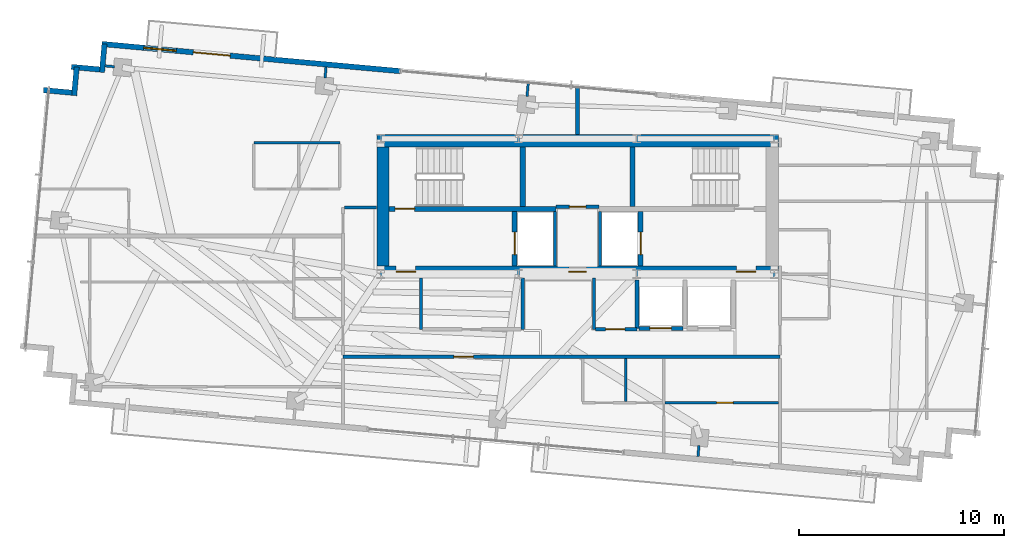
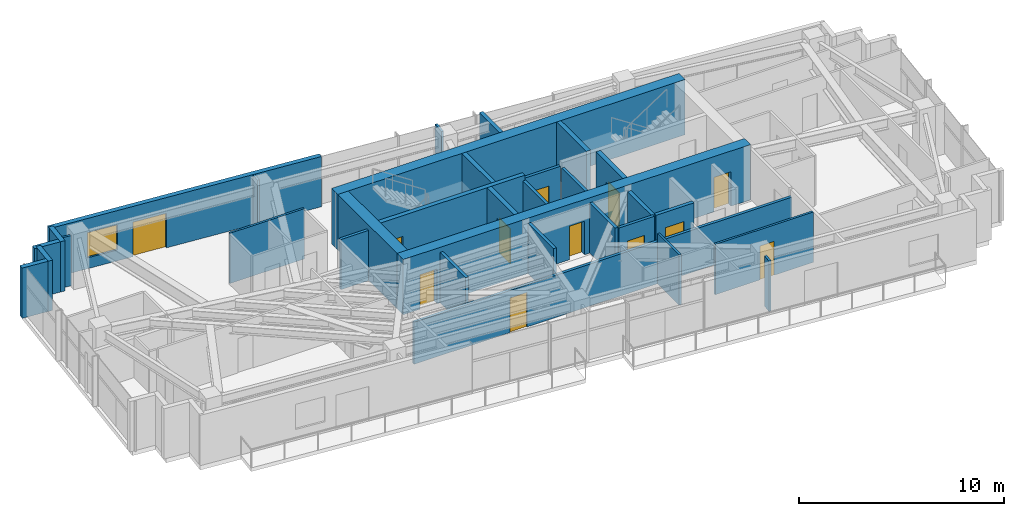
# One storey, part 17 of 22: 32 walls, 12 doors, 1 window, 13 openings.
"""IFC4 building model written with IfcOpenShell, lengths in metres."""

from ifc_helpers import new_model, si_unit, direction, frame, frame_2d, origin, place, context, subcontext, project, spatial, rectangle, extrude, source, transform, mapped, material, layer, layer_set, type_object, type_shapes, element, fill, save


model = new_model("IFC4")

# Units and contexts
model_context = context("Model", 3, precision=1e-05, world=origin(), true_north=direction((0.0, 1.0)))
body_context = subcontext(model_context, "Body", "Model", "MODEL_VIEW")
ifc_project = project(units=[si_unit("LENGTHUNIT", "METRE"), si_unit("AREAUNIT", "SQUARE_METRE"), si_unit("VOLUMEUNIT", "CUBIC_METRE"), si_unit("PLANEANGLEUNIT", "RADIAN"), si_unit("MASSUNIT", "GRAM", prefix="KILO")], contexts=[model_context])

# Site, building, storey
site_placement = place(None, origin())
site = spatial("IfcSite", under=ifc_project, at=site_placement, CompositionType="ELEMENT")
building_placement = place(site_placement, origin())
building = spatial("IfcBuilding", under=site, at=building_placement, Name="Astriad Promenade Condominiums", CompositionType="ELEMENT")
storey_placement = place(building_placement, frame((0.0, 0.0, 256.199951171875)))
storey = spatial("IfcBuildingStorey", under=building, at=storey_placement, Name="L74", CompositionType="ELEMENT", Elevation=256.199951171875)

# Wall, openings, doors
ifc_material_1 = material(Name="Concrete C50/60", Category="concrete")
ifc_layer_1 = layer(ifc_material_1, 0.60009765625)
ifc_layer_set_1 = layer_set([ifc_layer_1], Name="Concrete C50/60")
wall_type_1 = type_object("IfcWallType", Name="CW-SHEAR-600", PredefinedType="SHEAR", material=ifc_layer_set_1)
wall_1_placement = place(storey_placement, frame((26.199951171875, 17.5, 0.0), z_axis=(0.0, 0.0, 1.0), x_axis=(1.0, 0.0, 0.0)))
wall_1 = element("IfcWall", 1, at=wall_1_placement, inside=storey, type_object=wall_type_1, Name="CW-CORE-S-L74", PredefinedType="SHEAR", context=body_context, shape_type="SweptSolid", body=[
    extrude(rectangle(XDim=19.60009765625, YDim=0.60009765625, at=frame_2d((9.800048828125, 0.0))), origin(), (0.0, 0.0, 1.0), 3.300048828125),
])
opening_1_placement = place(wall_1_placement, frame((0.949951171875, 0.0, 0.0)))
opening_1 = element("IfcOpeningElement", 2, at=opening_1_placement, cuts=wall_1, Name="Opening FD90-ST-095", PredefinedType="OPENING", context=body_context, shape_type="SweptSolid", body=[
    extrude(rectangle(XDim=0.949951171875, YDim=2.06005859375, at=frame_2d((0.47509765625, 1.030029296875))), frame((0.0, 0.31005859375, 0.0), z_axis=(0.0, -1.0, 0.0), x_axis=(1.0, 0.0, 0.0)), (0.0, 0.0, 1.0), 0.6201171875),
])
opening_2_placement = place(wall_1_placement, frame((9.3798828125, 0.0, 0.0)))
opening_2 = element("IfcOpeningElement", 3, at=opening_2_placement, cuts=wall_1, Name="Opening FD60-ULOW-085", PredefinedType="OPENING", context=body_context, shape_type="SweptSolid", body=[
    extrude(rectangle(XDim=0.85009765625, YDim=2.0, at=frame_2d((0.425048828125, 1.0))), frame((0.0, 0.31005859375, 0.0), z_axis=(0.0, -1.0, 0.0), x_axis=(1.0, 0.0, 0.0)), (0.0, 0.0, 1.0), 0.6201171875),
])
opening_3_placement = place(wall_1_placement, frame((17.550048828125, 0.0, 0.0)))
opening_3 = element("IfcOpeningElement", 4, at=opening_3_placement, cuts=wall_1, Name="Opening FD90-ST-095", PredefinedType="OPENING", context=body_context, shape_type="SweptSolid", body=[
    extrude(rectangle(XDim=0.949951171875, YDim=2.06005859375, at=frame_2d((0.47509765625, 1.030029296875))), frame((0.0, 0.31005859375, 0.0), z_axis=(0.0, -1.0, 0.0), x_axis=(1.0, 0.0, 0.0)), (0.0, 0.0, 1.0), 0.6201171875),
])
ifc_material_2 = material(Name="Fire-Rated Hollow Metal Stair Door")
door_type_1 = type_object("IfcDoorType", Name="FD90-ST-095", OperationType="NOTDEFINED", PredefinedType="DOOR", material=ifc_material_2)
shared_shape_1 = source(origin(), body_context, "Body", "SweptSolid", [
    extrude(rectangle(XDim=0.949951171875, YDim=2.06005859375, at=frame_2d((0.47509765625, 1.030029296875))), frame((0.0, 0.02490234375, 0.0), z_axis=(0.0, -1.0, 0.0), x_axis=(1.0, 0.0, 0.0)), (0.0, 0.0, 1.0), 0.050048828125),
])
type_shapes(door_type_1, [shared_shape_1])
door_1_placement = place(opening_1_placement, origin())
door_1 = element("IfcDoor", 5, at=door_1_placement, inside=storey, type_object=door_type_1, Name="D-FFW-L74", OperationType="SINGLE_SWING_LEFT", OverallHeight=2.06005859375, OverallWidth=0.949951171875, PredefinedType="DOOR", context=body_context, shape_type="MappedRepresentation", body=[
    mapped(shared_shape_1, transform((0.0, 0.0, 0.0), scale=1.0)),
])
fill(opening_1, door_1)
door_2_placement = place(opening_3_placement, origin())
door_2 = element("IfcDoor", 6, at=door_2_placement, inside=storey, type_object=door_type_1, Name="D-FFE-L74", OperationType="SINGLE_SWING_RIGHT", OverallHeight=2.06005859375, OverallWidth=0.949951171875, PredefinedType="DOOR", context=body_context, shape_type="MappedRepresentation", body=[
    mapped(shared_shape_1, transform((0.0, 0.0, 0.0), scale=1.0)),
])
fill(opening_3, door_2)
ifc_material_3 = material(Name="Solid-Core Low-Headroom Fire Door")
door_type_2 = type_object("IfcDoorType", Name="FD60-ULOW-085", OperationType="NOTDEFINED", PredefinedType="DOOR", material=ifc_material_3)
shared_shape_2 = source(origin(), body_context, "Body", "SweptSolid", [
    extrude(rectangle(XDim=0.85009765625, YDim=2.0, at=frame_2d((0.425048828125, 1.0))), frame((0.0, 0.02490234375, 0.0), z_axis=(0.0, -1.0, 0.0), x_axis=(1.0, 0.0, 0.0)), (0.0, 0.0, 1.0), 0.050048828125),
])
type_shapes(door_type_2, [shared_shape_2])
door_3_placement = place(opening_2_placement, origin())
door_3 = element("IfcDoor", 7, at=door_3_placement, inside=storey, type_object=door_type_2, Name="D-CSL-L74", OperationType="SINGLE_SWING_RIGHT", OverallHeight=2.0, OverallWidth=0.85009765625, PredefinedType="DOOR", context=body_context, shape_type="MappedRepresentation", body=[
    mapped(shared_shape_2, transform((0.0, 0.0, 0.0), scale=1.0)),
])
fill(opening_2, door_3)

# Walls
wall_2_placement = place(storey_placement, frame((26.199951171875, 23.89990234375, 0.0), z_axis=(0.0, 0.0, 1.0), x_axis=(1.0, 0.0, 0.0)))
element("IfcWall", 8, at=wall_2_placement, inside=storey, type_object=wall_type_1, Name="CW-CORE-N-L74", PredefinedType="SHEAR", context=body_context, shape_type="SweptSolid", body=[
    extrude(rectangle(XDim=19.60009765625, YDim=0.60009765625, at=frame_2d((9.800048828125, 0.0))), origin(), (0.0, 0.0, 1.0), 3.300048828125),
])
wall_3_placement = place(storey_placement, frame((26.5, 17.802001953125, 0.0), z_axis=(0.0, 0.0, 1.0), x_axis=(0.0, 1.0, 0.0)))
element("IfcWall", 9, at=wall_3_placement, inside=storey, type_object=wall_type_1, Name="CW-CORE-W-L74", PredefinedType="SHEAR", context=body_context, shape_type="SweptSolid", body=[
    extrude(rectangle(XDim=5.7958984375, YDim=0.60009765625, at=frame_2d((2.89794921875, 0.0))), origin(), (0.0, 0.0, 1.0), 3.300048828125),
])

# Wall, opening, door
ifc_layer_2 = layer(ifc_material_1, 0.25)
ifc_layer_set_2 = layer_set([ifc_layer_2], Name="Concrete C50/60")
wall_type_2 = type_object("IfcWallType", Name="WALL-CORE-INT-250", PredefinedType="SOLIDWALL", material=ifc_layer_set_2)
wall_4_placement = place(storey_placement, frame((26.802001953125, 20.574951171875, 0.0), z_axis=(0.0, 0.0, 1.0), x_axis=(1.0, 0.0, 0.0)))
wall_4 = element("IfcWall", 10, at=wall_4_placement, inside=storey, type_object=wall_type_2, Name="CW-INT-H1-L74", PredefinedType="SOLIDWALL", context=body_context, shape_type="SweptSolid", body=[
    extrude(rectangle(XDim=8.14794921875, YDim=0.25, at=frame_2d((4.073974609375, 0.0))), origin(), (0.0, 0.0, 1.0), 3.300048828125),
])
opening_4_placement = place(wall_4_placement, frame((0.298095703125, 0.0, 0.0)))
opening_4 = element("IfcOpeningElement", 11, at=opening_4_placement, cuts=wall_4, Name="Opening FD90-ST-095", PredefinedType="OPENING", context=body_context, shape_type="SweptSolid", body=[
    extrude(rectangle(XDim=0.949951171875, YDim=2.06005859375, at=frame_2d((0.47509765625, 1.030029296875))), frame((0.0, 0.135009765625, 0.0), z_axis=(0.0, -1.0, 0.0), x_axis=(1.0, 0.0, 0.0)), (0.0, 0.0, 1.0), 0.27001953125),
])
door_4_placement = place(opening_4_placement, origin())
door_4 = element("IfcDoor", 12, at=door_4_placement, inside=storey, type_object=door_type_1, Name="D-ST1-L74", OperationType="SINGLE_SWING_LEFT", OverallHeight=2.06005859375, OverallWidth=0.949951171875, PredefinedType="DOOR", context=body_context, shape_type="MappedRepresentation", body=[
    mapped(shared_shape_1, transform((0.0, 0.0, 0.0), scale=1.0)),
])
fill(opening_4, door_4)

# Walls
for number, where, z_axis, x_axis, name in (
    (13, (33.324951171875, 20.701904296875, 0.0), (0.0, 0.0, 1.0), (0.0, 1.0, 0.0), "CW-ST1-E-L74"),
    (14, (38.675048828125, 20.701904296875, 0.0), (0.0, 0.0, 1.0), (0.0, 1.0, 0.0), "CW-ST2-W-L74"),
):
    element("IfcWall", number, at=place(storey_placement, frame(where, z_axis=z_axis, x_axis=x_axis)), inside=storey, type_object=wall_type_2, Name=name, PredefinedType="SOLIDWALL", context=body_context, shape_type="SweptSolid", body=[
        extrude(rectangle(XDim=2.89599609375, YDim=0.25, at=frame_2d((1.447998046875, 0.0))), origin(), (0.0, 0.0, 1.0), 3.300048828125),
    ])

# Wall, opening, door
wall_5_placement = place(storey_placement, frame((32.925048828125, 17.802001953125, 0.0), z_axis=(0.0, 0.0, 1.0), x_axis=(0.0, 1.0, 0.0)))
wall_5 = element("IfcWall", 15, at=wall_5_placement, inside=storey, type_object=wall_type_2, Name="CW-FFL1-W-L74", PredefinedType="SOLIDWALL", context=body_context, shape_type="SweptSolid", body=[
    extrude(rectangle(XDim=2.64599609375, YDim=0.25, at=frame_2d((1.322998046875, 0.0))), origin(), (0.0, 0.0, 1.0), 3.300048828125),
])
opening_5_placement = place(wall_5_placement, frame((0.548095703125, 0.0, 0.0)))
opening_5 = element("IfcOpeningElement", 16, at=opening_5_placement, cuts=wall_5, Name="Opening LD-FFL-1122", PredefinedType="OPENING", context=body_context, shape_type="SweptSolid", body=[
    extrude(rectangle(XDim=1.10009765625, YDim=2.080078125, at=frame_2d((0.550048828125, 1.0400390625))), frame((0.0, 0.135009765625, 0.0), z_axis=(0.0, -1.0, 0.0), x_axis=(1.0, 0.0, 0.0)), (0.0, 0.0, 1.0), 0.27001953125),
])
ifc_material_4 = material(Name="Brushed Stainless Steel Fire Elevator Landing Door", Category="steel")
door_type_3 = type_object("IfcDoorType", Name="LD-FFL-1122", OperationType="NOTDEFINED", PredefinedType="DOOR", material=ifc_material_4)
shared_shape_3 = source(origin(), body_context, "Body", "SweptSolid", [
    extrude(rectangle(XDim=1.10009765625, YDim=2.080078125, at=frame_2d((0.550048828125, 1.0400390625))), frame((0.0, 0.02490234375, 0.0), z_axis=(0.0, -1.0, 0.0), x_axis=(1.0, 0.0, 0.0)), (0.0, 0.0, 1.0), 0.050048828125),
])
type_shapes(door_type_3, [shared_shape_3])
door_5_placement = place(opening_5_placement, origin())
door_5 = element("IfcDoor", 17, at=door_5_placement, inside=storey, type_object=door_type_3, Name="Elevator Landing Door FFL-1 (L74)", OperationType="SLIDING_TO_LEFT", OverallHeight=2.080078125, OverallWidth=1.10009765625, PredefinedType="DOOR", context=body_context, shape_type="MappedRepresentation", body=[
    mapped(shared_shape_3, transform((0.0, 0.0, 0.0), scale=1.0)),
])
fill(opening_5, door_5)

wall_6_placement = place(storey_placement, frame((39.074951171875, 17.802001953125, 0.0), z_axis=(0.0, 0.0, 1.0), x_axis=(0.0, 1.0, 0.0)))
wall_6 = element("IfcWall", 18, at=wall_6_placement, inside=storey, type_object=wall_type_2, Name="CW-FFL2-E-L74", PredefinedType="SOLIDWALL", context=body_context, shape_type="SweptSolid", body=[
    extrude(rectangle(XDim=2.64599609375, YDim=0.25, at=frame_2d((1.322998046875, 0.0))), origin(), (0.0, 0.0, 1.0), 3.300048828125),
])
opening_6_placement = place(wall_6_placement, frame((0.548095703125, 0.0, 0.0)))
opening_6 = element("IfcOpeningElement", 19, at=opening_6_placement, cuts=wall_6, Name="Opening LD-FFL-1122", PredefinedType="OPENING", context=body_context, shape_type="SweptSolid", body=[
    extrude(rectangle(XDim=1.10009765625, YDim=2.080078125, at=frame_2d((0.550048828125, 1.0400390625))), frame((0.0, 0.135009765625, 0.0), z_axis=(0.0, -1.0, 0.0), x_axis=(1.0, 0.0, 0.0)), (0.0, 0.0, 1.0), 0.27001953125),
])
door_6_placement = place(opening_6_placement, origin())
door_6 = element("IfcDoor", 20, at=door_6_placement, inside=storey, type_object=door_type_3, Name="Elevator Landing Door FFL-2 (L74)", OperationType="SLIDING_TO_RIGHT", OverallHeight=2.080078125, OverallWidth=1.10009765625, PredefinedType="DOOR", context=body_context, shape_type="MappedRepresentation", body=[
    mapped(shared_shape_3, transform((0.0, 0.0, 0.0), scale=1.0)),
])
fill(opening_6, door_6)

# Walls
ifc_material_5 = material(Name="Fire-Rated Gypsum Partition")
ifc_layer_3 = layer(ifc_material_5, 0.159912109375)
ifc_layer_set_3 = layer_set([ifc_layer_3], Name="Fire-Rated Gypsum Partition")
wall_type_3 = type_object("IfcWallType", Name="WALL-CORR-160", PredefinedType="PARTITIONING", material=ifc_layer_set_3)
for number, where, z_axis, x_axis, name in (
    (21, (34.89990234375, 17.802001953125, 0.0), (0.0, 0.0, 1.0), (0.0, 1.0, 0.0), "CW-FFL1-E-L74"),
    (22, (37.10009765625, 17.802001953125, 0.0), (0.0, 0.0, 1.0), (0.0, 1.0, 0.0), "CW-FFL2-W-L74"),
):
    element("IfcWall", number, at=place(storey_placement, frame(where, z_axis=z_axis, x_axis=x_axis)), inside=storey, type_object=wall_type_3, Name=name, PredefinedType="PARTITIONING", context=body_context, shape_type="SweptSolid", body=[
        extrude(rectangle(XDim=2.64599609375, YDim=0.159912109375, at=frame_2d((1.322998046875, 0.0))), origin(), (0.0, 0.0, 1.0), 3.0),
    ])

# Wall, opening, door
wall_7_placement = place(storey_placement, frame((34.949951171875, 20.68994140625, 0.0), z_axis=(0.0, 0.0, 1.0), x_axis=(1.0, 0.0, 0.0)))
wall_7 = element("IfcWall", 23, at=wall_7_placement, inside=storey, type_object=wall_type_3, Name="CW-AUX-S-L74", PredefinedType="PARTITIONING", context=body_context, shape_type="SweptSolid", body=[
    extrude(rectangle(XDim=2.10009765625, YDim=0.159912109375, at=frame_2d((1.050048828125, 0.0))), origin(), (0.0, 0.0, 1.0), 3.0),
])
opening_7_placement = place(wall_7_placement, frame((0.64990234375, 0.0, 0.0)))
opening_7 = element("IfcOpeningElement", 24, at=opening_7_placement, cuts=wall_7, Name="Opening FD60-SV-080", PredefinedType="OPENING", context=body_context, shape_type="SweptSolid", body=[
    extrude(rectangle(XDim=0.800048828125, YDim=2.050048828125, at=frame_2d((0.39990234375, 1.02490234375))), frame((0.0, 0.08984375, 0.0), z_axis=(0.0, -1.0, 0.0), x_axis=(1.0, 0.0, 0.0)), (0.0, 0.0, 1.0), 0.179931640625),
])
ifc_material_6 = material(Name="Fire-Rated Riser Closet Door")
door_type_4 = type_object("IfcDoorType", Name="FD60-SV-080", OperationType="NOTDEFINED", PredefinedType="DOOR", material=ifc_material_6)
shared_shape_4 = source(origin(), body_context, "Body", "SweptSolid", [
    extrude(rectangle(XDim=0.800048828125, YDim=2.050048828125, at=frame_2d((0.39990234375, 1.02490234375))), frame((0.0, 0.02490234375, 0.0), z_axis=(0.0, -1.0, 0.0), x_axis=(1.0, 0.0, 0.0)), (0.0, 0.0, 1.0), 0.050048828125),
])
type_shapes(door_type_4, [shared_shape_4])
door_7_placement = place(opening_7_placement, origin())
door_7 = element("IfcDoor", 25, at=door_7_placement, inside=storey, type_object=door_type_4, Name="D-AUX1-L74", OperationType="SINGLE_SWING_LEFT", OverallHeight=2.050048828125, OverallWidth=0.800048828125, PredefinedType="DOOR", context=body_context, shape_type="MappedRepresentation", body=[
    mapped(shared_shape_4, transform((0.0, 0.0, 0.0), scale=1.0)),
])
fill(opening_7, door_7)

wall_8_placement = place(storey_placement, frame((24.550048828125, 13.360107421875, 0.0), z_axis=(0.0, 0.0, 1.0), x_axis=(1.0, 0.0, 0.0)))
wall_8 = element("IfcWall", 26, at=wall_8_placement, inside=storey, type_object=wall_type_3, Name="PT-COR-S-L74", PredefinedType="PARTITIONING", context=body_context, shape_type="SweptSolid", body=[
    extrude(rectangle(XDim=21.329833984375, YDim=0.159912109375, at=frame_2d((10.6650390625, 0.0))), origin(), (0.0, 0.0, 1.0), 2.509765625),
])
opening_8_placement = place(wall_8_placement, frame((5.4150390625, 0.0, 0.0)))
opening_8 = element("IfcOpeningElement", 27, at=opening_8_placement, cuts=wall_8, Name="Opening FD60-APT-095", PredefinedType="OPENING", context=body_context, shape_type="SweptSolid", body=[
    extrude(rectangle(XDim=0.949951171875, YDim=2.06005859375, at=frame_2d((0.47509765625, 1.030029296875))), frame((0.0, 0.08984375, 0.0), z_axis=(0.0, -1.0, 0.0), x_axis=(1.0, 0.0, 0.0)), (0.0, 0.0, 1.0), 0.179931640625),
])
ifc_material_7 = material(Name="Solid-Core Acoustic Timber Residence Entry Door", Category="wood")
door_type_5 = type_object("IfcDoorType", Name="FD60-APT-095", OperationType="NOTDEFINED", PredefinedType="DOOR", material=ifc_material_7)
shared_shape_5 = source(origin(), body_context, "Body", "SweptSolid", [
    extrude(rectangle(XDim=0.949951171875, YDim=2.06005859375, at=frame_2d((0.47509765625, 1.030029296875))), frame((0.0, 0.02490234375, 0.0), z_axis=(0.0, -1.0, 0.0), x_axis=(1.0, 0.0, 0.0)), (0.0, 0.0, 1.0), 0.050048828125),
])
type_shapes(door_type_5, [shared_shape_5])
door_8_placement = place(opening_8_placement, origin())
door_8 = element("IfcDoor", 28, at=door_8_placement, inside=storey, type_object=door_type_5, Name="D-ENT-L74-S1", OperationType="SINGLE_SWING_LEFT", OverallHeight=2.06005859375, OverallWidth=0.949951171875, PredefinedType="DOOR", context=body_context, shape_type="MappedRepresentation", body=[
    mapped(shared_shape_5, transform((0.0, 0.0, 0.0), scale=1.0)),
])
fill(opening_8, door_8)

# Walls
wall_9_placement = place(storey_placement, frame((24.632080078125, 20.64990234375, 0.0), z_axis=(0.0, 0.0, 1.0), x_axis=(1.0, 0.0, 0.0)))
element("IfcWall", 29, at=wall_9_placement, inside=storey, type_object=wall_type_3, Name="PT-Z3W-N-L74", PredefinedType="PARTITIONING", context=body_context, shape_type="SweptSolid", body=[
    extrude(rectangle(XDim=1.56591796875, YDim=0.159912109375, at=frame_2d((0.782958984375, 0.0))), origin(), (0.0, 0.0, 1.0), 3.0),
])
for number, where, z_axis, x_axis, name in (
    (30, (28.360107421875, 14.699951171875, 0.0), (0.0, 0.0, 1.0), (0.0, 1.0, 0.0), "PT-Z3REC-W-L74"),
    (31, (33.320068359375, 14.699951171875, 0.0), (0.0, 0.0, 1.0), (0.0, 1.0, 0.0), "PT-Z3REC-E-L74"),
    (32, (36.800048828125, 14.699951171875, 0.0), (0.0, 0.0, 1.0), (0.0, 1.0, 0.0), "PT-Z3R2-W-L74"),
):
    element("IfcWall", number, at=place(storey_placement, frame(where, z_axis=z_axis, x_axis=x_axis)), inside=storey, type_object=wall_type_3, Name=name, PredefinedType="PARTITIONING", context=body_context, shape_type="SweptSolid", body=[
        extrude(rectangle(XDim=2.498046875, YDim=0.159912109375, at=frame_2d((1.2490234375, 0.0))), origin(), (0.0, 0.0, 1.0), 3.0),
    ])

# Wall, opening, door
wall_10_placement = place(storey_placement, frame((36.882080078125, 14.699951171875, 0.0), z_axis=(0.0, 0.0, 1.0), x_axis=(1.0, 0.0, 0.0)))
wall_10 = element("IfcWall", 33, at=wall_10_placement, inside=storey, type_object=wall_type_3, Name="PT-Z3R2-S-L74", PredefinedType="PARTITIONING", context=body_context, shape_type="SweptSolid", body=[
    extrude(rectangle(XDim=2.017822265625, YDim=0.159912109375, at=frame_2d((1.0087890625, 0.0))), origin(), (0.0, 0.0, 1.0), 3.0),
])
opening_9_placement = place(wall_10_placement, frame((0.48291015625, 0.0, 0.0)))
opening_9 = element("IfcOpeningElement", 34, at=opening_9_placement, cuts=wall_10, Name="Opening FD60-APT-095", PredefinedType="OPENING", context=body_context, shape_type="SweptSolid", body=[
    extrude(rectangle(XDim=0.949951171875, YDim=2.06005859375, at=frame_2d((0.47509765625, 1.030029296875))), frame((0.0, 0.08984375, 0.0), z_axis=(0.0, -1.0, 0.0), x_axis=(1.0, 0.0, 0.0)), (0.0, 0.0, 1.0), 0.179931640625),
])
door_9_placement = place(opening_9_placement, origin())
door_9 = element("IfcDoor", 35, at=door_9_placement, inside=storey, type_object=door_type_5, Name="D-Z3N-L74", OperationType="SINGLE_SWING_LEFT", OverallHeight=2.06005859375, OverallWidth=0.949951171875, PredefinedType="DOOR", context=body_context, shape_type="MappedRepresentation", body=[
    mapped(shared_shape_5, transform((0.0, 0.0, 0.0), scale=1.0)),
])
fill(opening_9, door_9)

# Walls
ifc_material_8 = material(Name="Acoustic Double-Stud Gypsum Partition")
ifc_layer_4 = layer(ifc_material_8, 0.199951171875)
ifc_layer_set_4 = layer_set([ifc_layer_4], Name="Acoustic Double-Stud Gypsum Partition")
wall_type_4 = type_object("IfcWallType", Name="WALL-DEMISING-200", PredefinedType="PARTITIONING", material=ifc_layer_set_4)
wall_11_placement = place(storey_placement, frame((36.0, 24.201904296875, 0.0), z_axis=(0.0, 0.0, 1.0), x_axis=(0.0, 1.0, 0.0)))
element("IfcWall", 36, at=wall_11_placement, inside=storey, type_object=wall_type_4, Name="PT-NC-MID-L74", PredefinedType="PARTITIONING", context=body_context, shape_type="SweptSolid", body=[
    extrude(rectangle(XDim=2.36328125, YDim=0.199951171875, at=frame_2d((1.181640625, 0.0))), origin(), (0.0, 0.0, 1.0), 3.0),
])
ifc_material_9 = material(Name="Precast concrete C50/60", Category="concrete")
ifc_layer_5 = layer(ifc_material_9, 0.260009765625)
ifc_layer_set_5 = layer_set([ifc_layer_5], Name="Precast concrete C50/60")
wall_type_5 = type_object("IfcWallType", Name="WALL-EXT-TWR-260", PredefinedType="STANDARD", material=ifc_layer_set_5)
for number, where, z_axis, x_axis, name in (
    (37, (9.93505859375, 26.376708984375, 0.0), (0.0, 0.0, 1.0), (0.995881721538, -0.090661991521, 0.0), "W-SER-L74-04"),
    (38, (11.427001953125, 26.110595703125, 0.0), (0.0, 0.0, 1.0), (0.090835571917, 0.995865904063, 0.0), "W-SER-L74-05"),
):
    element("IfcWall", number, at=place(storey_placement, frame(where, z_axis=z_axis, x_axis=x_axis)), inside=storey, type_object=wall_type_5, Name=name, PredefinedType="STANDARD", context=body_context, shape_type="SweptSolid", body=[
        extrude(rectangle(XDim=1.39501953125, YDim=0.260009765625, at=frame_2d((0.697509765625, 0.0))), origin(), (0.0, 0.0, 1.0), 3.0),
    ])
wall_12_placement = place(storey_placement, frame((11.293212890625, 27.50830078125, 0.0), z_axis=(0.0, 0.0, 1.0), x_axis=(0.995883159782, -0.090646191665, 0.0)))
element("IfcWall", 39, at=wall_12_placement, inside=storey, type_object=wall_type_5, Name="W-SER-L74-06", PredefinedType="STANDARD", context=body_context, shape_type="SweptSolid", body=[
    extrude(rectangle(XDim=1.395263671875, YDim=0.260009765625, at=frame_2d((0.69775390625, 0.0))), origin(), (0.0, 0.0, 1.0), 3.0),
])
wall_13_placement = place(storey_placement, frame((12.785400390625, 27.241943359375, 0.0), z_axis=(0.0, 0.0, 1.0), x_axis=(0.090472632758, 0.995898942023, 0.0)))
element("IfcWall", 40, at=wall_13_placement, inside=storey, type_object=wall_type_5, Name="W-SER-L74-07", PredefinedType="STANDARD", context=body_context, shape_type="SweptSolid", body=[
    extrude(rectangle(XDim=1.39501953125, YDim=0.260009765625, at=frame_2d((0.697509765625, 0.0))), origin(), (0.0, 0.0, 1.0), 3.0),
])

# Wall, openings, door, window
wall_14_placement = place(storey_placement, frame((12.78076171875, 28.628173828125, 0.0), z_axis=(0.0, 0.0, 1.0), x_axis=(0.995884584572, -0.090630536861, 0.0)))
wall_14 = element("IfcWall", 41, at=wall_14_placement, inside=storey, type_object=wall_type_5, Name="W-EXT-L74-N1", PredefinedType="STANDARD", context=body_context, shape_type="SweptSolid", body=[
    extrude(rectangle(XDim=14.630126953125, YDim=0.260009765625, at=frame_2d((7.31494140625, 0.0))), origin(), (0.0, 0.0, 1.0), 3.0),
])
opening_10_placement = place(wall_14_placement, frame((4.485107421875, 0.0, 0.0)))
opening_10 = element("IfcOpeningElement", 42, at=opening_10_placement, cuts=wall_14, Name="Opening BD-1822-SLD", PredefinedType="OPENING", context=body_context, shape_type="SweptSolid", body=[
    extrude(rectangle(XDim=1.800048828125, YDim=2.06005859375, at=frame_2d((0.89990234375, 1.030029296875))), frame((0.0, 0.139892578125, 0.0), z_axis=(0.0, -1.0, 0.0), x_axis=(1.0, 0.0, 0.0)), (0.0, 0.0, 1.0), 0.280029296875),
])
opening_11_placement = place(wall_14_placement, frame((2.050048828125, 0.0, 0.64990234375)))
opening_11 = element("IfcOpeningElement", 43, at=opening_11_placement, cuts=wall_14, Name="Opening WIN-TWR-1620", PredefinedType="OPENING", context=body_context, shape_type="SweptSolid", body=[
    extrude(rectangle(XDim=1.60009765625, YDim=1.5, at=frame_2d((0.800048828125, 0.75))), frame((0.0, 0.139892578125, 0.0), z_axis=(0.0, -1.0, 0.0), x_axis=(1.0, 0.0, 0.0)), (0.0, 0.0, 1.0), 0.280029296875),
])
ifc_material_10 = material(Name="Thermally Broken Aluminium Sliding Balcony Door", Category="aluminium")
door_type_6 = type_object("IfcDoorType", Name="BD-1822-SLD", OperationType="NOTDEFINED", PredefinedType="DOOR", material=ifc_material_10)
shared_shape_6 = source(origin(), body_context, "Body", "SweptSolid", [
    extrude(rectangle(XDim=1.800048828125, YDim=2.06005859375, at=frame_2d((0.89990234375, 1.030029296875))), frame((0.0, 0.02490234375, 0.0), z_axis=(0.0, -1.0, 0.0), x_axis=(1.0, 0.0, 0.0)), (0.0, 0.0, 1.0), 0.050048828125),
])
type_shapes(door_type_6, [shared_shape_6])
door_10_placement = place(opening_10_placement, origin())
door_10 = element("IfcDoor", 44, at=door_10_placement, inside=storey, type_object=door_type_6, Name="BD-L74-NW", OperationType="SLIDING_TO_LEFT", OverallHeight=2.06005859375, OverallWidth=1.800048828125, PredefinedType="DOOR", context=body_context, shape_type="MappedRepresentation", body=[
    mapped(shared_shape_6, transform((0.0, 0.0, 0.0), scale=1.0)),
])
fill(opening_10, door_10)
ifc_material_11 = material(Name="Dark Tinted Triple-Glazed Aluminium Window", Category="aluminium")
window_type = type_object("IfcWindowType", Name="WIN-TWR-1620", PartitioningType="SINGLE_PANEL", PredefinedType="WINDOW", material=ifc_material_11)
shared_shape_7 = source(origin(), body_context, "Body", "SweptSolid", [
    extrude(rectangle(XDim=1.60009765625, YDim=1.5, at=frame_2d((0.800048828125, 0.75))), frame((0.0, 0.030029296875, 0.0), z_axis=(0.0, -1.0, 0.0), x_axis=(1.0, 0.0, 0.0)), (0.0, 0.0, 1.0), 0.06005859375),
])
type_shapes(window_type, [shared_shape_7])
window_placement = place(opening_11_placement, origin())
window = element("IfcWindow", 45, at=window_placement, inside=storey, type_object=window_type, Name="WIN-L74-NW", OverallHeight=1.5, OverallWidth=1.60009765625, PartitioningType="SINGLE_PANEL", PredefinedType="WINDOW", context=body_context, shape_type="MappedRepresentation", body=[
    mapped(shared_shape_7, transform((0.0, 0.0, 0.0), scale=1.0)),
])
fill(opening_11, window)

# Wall
ifc_material_12 = material(Name="Acoustic Metal-Stud Gypsum Partition")
ifc_layer_6 = layer(ifc_material_12, 0.1201171875)
ifc_layer_set_6 = layer_set([ifc_layer_6], Name="Acoustic Metal-Stud Gypsum Partition")
wall_type_6 = type_object("IfcWallType", Name="WALL-PART-120", PredefinedType="PARTITIONING", material=ifc_layer_set_6)
wall_15_placement = place(storey_placement, frame((38.35009765625, 11.172119140625, 0.0), z_axis=(0.0, 0.0, 1.0), x_axis=(0.0, 1.0, 0.0)))
element("IfcWall", 46, at=wall_15_placement, inside=storey, type_object=wall_type_6, Name="PT-L74-S1-PBK", PredefinedType="PARTITIONING", context=body_context, shape_type="SweptSolid", body=[
    extrude(rectangle(XDim=2.10595703125, YDim=0.1201171875, at=frame_2d((1.052978515625, 0.0))), origin(), (0.0, 0.0, 1.0), 3.0),
])

# Wall, opening, door
wall_16_placement = place(storey_placement, frame((40.261962890625, 11.116943359375, 0.0), z_axis=(0.0, 0.0, 1.0), x_axis=(1.0, 0.0, 0.0)))
wall_16 = element("IfcWall", 47, at=wall_16_placement, inside=storey, type_object=wall_type_6, Name="PT-L74-S1-ENS", PredefinedType="PARTITIONING", context=body_context, shape_type="SweptSolid", body=[
    extrude(rectangle(XDim=5.5361328125, YDim=0.1201171875, at=frame_2d((2.76806640625, 0.0))), origin(), (0.0, 0.0, 1.0), 3.0),
])
opening_12_placement = place(wall_16_placement, frame((2.528076171875, 0.0, 0.0)))
opening_12 = element("IfcOpeningElement", 48, at=opening_12_placement, cuts=wall_16, Name="Opening D-WET-080", PredefinedType="OPENING", context=body_context, shape_type="SweptSolid", body=[
    extrude(rectangle(XDim=0.800048828125, YDim=2.02001953125, at=frame_2d((0.39990234375, 1.010009765625))), frame((0.0, 0.070068359375, 0.0), z_axis=(0.0, -1.0, 0.0), x_axis=(1.0, 0.0, 0.0)), (0.0, 0.0, 1.0), 0.14013671875),
])
ifc_material_13 = material(Name="Moisture-Resistant Timber Bathroom Door", Category="wood")
door_type_7 = type_object("IfcDoorType", Name="D-WET-080", OperationType="NOTDEFINED", PredefinedType="DOOR", material=ifc_material_13)
shared_shape_8 = source(origin(), body_context, "Body", "SweptSolid", [
    extrude(rectangle(XDim=0.800048828125, YDim=2.02001953125, at=frame_2d((0.39990234375, 1.010009765625))), frame((0.0, 0.02490234375, 0.0), z_axis=(0.0, -1.0, 0.0), x_axis=(1.0, 0.0, 0.0)), (0.0, 0.0, 1.0), 0.050048828125),
])
type_shapes(door_type_7, [shared_shape_8])
door_11_placement = place(opening_12_placement, origin())
door_11 = element("IfcDoor", 49, at=door_11_placement, inside=storey, type_object=door_type_7, Name="D-ENS-L74-S1", OperationType="SINGLE_SWING_RIGHT", OverallHeight=2.02001953125, OverallWidth=0.800048828125, PredefinedType="DOOR", context=body_context, shape_type="MappedRepresentation", body=[
    mapped(shared_shape_8, transform((0.0, 0.0, 0.0), scale=1.0)),
])
fill(opening_12, door_11)

# Walls
wall_17_placement = place(storey_placement, frame((20.199951171875, 23.800048828125, 0.0), z_axis=(0.0, 0.0, 1.0), x_axis=(1.0, 0.0, 0.0)))
element("IfcWall", 50, at=wall_17_placement, inside=storey, type_object=wall_type_6, Name="PT-L74-W2-PHN", PredefinedType="PARTITIONING", context=body_context, shape_type="SweptSolid", body=[
    extrude(rectangle(XDim=4.199951171875, YDim=0.1201171875, at=frame_2d((2.10009765625, 0.0))), origin(), (0.0, 0.0, 1.0), 3.0),
])
wall_18_placement = place(storey_placement, frame((41.92529296875, 9.0361328125, 0.0), z_axis=(0.0, 0.0, 1.0), x_axis=(-0.090740281653, -0.995874591144, 0.0)))
element("IfcWall", 51, at=wall_18_placement, inside=storey, type_object=wall_type_6, Name="PT-PIL-L74-PC04-11", PredefinedType="PARTITIONING", context=body_context, shape_type="SweptSolid", body=[
    extrude(rectangle(XDim=0.5380859375, YDim=0.1201171875, at=frame_2d((0.26904296875, 0.0))), origin(), (0.0, 0.0, 1.0), 3.0),
])
wall_19_placement = place(storey_placement, frame((13.40283203125, 27.51708984375, 0.0), z_axis=(0.0, 0.0, 1.0), x_axis=(-0.995884462012, 0.090631883588, 0.0)))
element("IfcWall", 52, at=wall_19_placement, inside=storey, type_object=wall_type_6, Name="PT-PIL-L74-PC06-13", PredefinedType="PARTITIONING", context=body_context, shape_type="SweptSolid", body=[
    extrude(rectangle(XDim=0.4580078125, YDim=0.1201171875, at=frame_2d((0.22900390625, 0.0))), origin(), (0.0, 0.0, 1.0), 3.0),
])
wall_20_placement = place(storey_placement, frame((23.6748046875, 26.9638671875, 0.0), z_axis=(0.0, 0.0, 1.0), x_axis=(0.090740281653, 0.995874591144, 0.0)))
element("IfcWall", 53, at=wall_20_placement, inside=storey, type_object=wall_type_6, Name="PT-PIL-L74-PC07-14", PredefinedType="PARTITIONING", context=body_context, shape_type="SweptSolid", body=[
    extrude(rectangle(XDim=0.5380859375, YDim=0.1201171875, at=frame_2d((0.26904296875, 0.0))), origin(), (0.0, 0.0, 1.0), 3.0),
])
wall_21_placement = place(storey_placement, frame((33.5341796875, 26.066650390625, 0.0), z_axis=(0.0, 0.0, 1.0), x_axis=(0.090535746043, 0.995893206468, 0.0)))
element("IfcWall", 54, at=wall_21_placement, inside=storey, type_object=wall_type_6, Name="PT-PIL-L74-PC08-15", PredefinedType="PARTITIONING", context=body_context, shape_type="SweptSolid", body=[
    extrude(rectangle(XDim=0.719970703125, YDim=0.1201171875, at=frame_2d((0.35986328125, 0.0))), origin(), (0.0, 0.0, 1.0), 3.0),
])
ifc_material_14 = material(Name="Gypsum Shaftliner Assembly")
ifc_layer_7 = layer(ifc_material_14, 0.199951171875)
ifc_layer_set_7 = layer_set([ifc_layer_7], Name="Gypsum Shaftliner Assembly")
wall_type_7 = type_object("IfcWallType", Name="WALL-SHAFT-200", PredefinedType="PARTITIONING", material=ifc_layer_set_7)
wall_22_placement = place(storey_placement, frame((38.89990234375, 14.75, 0.0), z_axis=(0.0, 0.0, 1.0), x_axis=(0.0, 1.0, 0.0)))
element("IfcWall", 55, at=wall_22_placement, inside=storey, type_object=wall_type_7, Name="PL-MH-DIV-L74", PredefinedType="PARTITIONING", context=body_context, shape_type="SweptSolid", body=[
    extrude(rectangle(XDim=2.35009765625, YDim=0.199951171875, at=frame_2d((1.175048828125, 0.0))), origin(), (0.0, 0.0, 1.0), 3.0),
])

# Wall, opening, door
wall_23_placement = place(storey_placement, frame((39.001953125, 14.75, 0.0), z_axis=(0.0, 0.0, 1.0), x_axis=(1.0, 0.0, 0.0)))
wall_23 = element("IfcWall", 56, at=wall_23_placement, inside=storey, type_object=wall_type_7, Name="PL-H-FRT-L74", PredefinedType="PARTITIONING", context=body_context, shape_type="SweptSolid", body=[
    extrude(rectangle(XDim=2.14599609375, YDim=0.199951171875, at=frame_2d((1.072998046875, 0.0))), origin(), (0.0, 0.0, 1.0), 3.0),
])
opening_13_placement = place(wall_23_placement, frame((0.52294921875, 0.0, 0.0)))
opening_13 = element("IfcOpeningElement", 57, at=opening_13_placement, cuts=wall_23, Name="Opening LD-PL-10522", PredefinedType="OPENING", context=body_context, shape_type="SweptSolid", body=[
    extrude(rectangle(XDim=1.050048828125, YDim=2.080078125, at=frame_2d((0.52490234375, 1.0400390625))), frame((0.0, 0.10986328125, 0.0), z_axis=(0.0, -1.0, 0.0), x_axis=(1.0, 0.0, 0.0)), (0.0, 0.0, 1.0), 0.219970703125),
])
ifc_material_15 = material(Name="Brushed Bronze Passenger Elevator Landing Door")
door_type_8 = type_object("IfcDoorType", Name="LD-PL-10522", OperationType="NOTDEFINED", PredefinedType="DOOR", material=ifc_material_15)
shared_shape_9 = source(origin(), body_context, "Body", "SweptSolid", [
    extrude(rectangle(XDim=1.050048828125, YDim=2.080078125, at=frame_2d((0.52490234375, 1.0400390625))), frame((0.0, 0.02490234375, 0.0), z_axis=(0.0, -1.0, 0.0), x_axis=(1.0, 0.0, 0.0)), (0.0, 0.0, 1.0), 0.050048828125),
])
type_shapes(door_type_8, [shared_shape_9])
door_12_placement = place(opening_13_placement, origin())
door_12 = element("IfcDoor", 58, at=door_12_placement, inside=storey, type_object=door_type_8, Name="Elevator Landing Door PL-H1 (L74)", OperationType="SLIDING_TO_LEFT", OverallHeight=2.080078125, OverallWidth=1.050048828125, PredefinedType="DOOR", context=body_context, shape_type="MappedRepresentation", body=[
    mapped(shared_shape_9, transform((0.0, 0.0, 0.0), scale=1.0)),
])
fill(opening_13, door_12)

save(model, "model.ifc")
